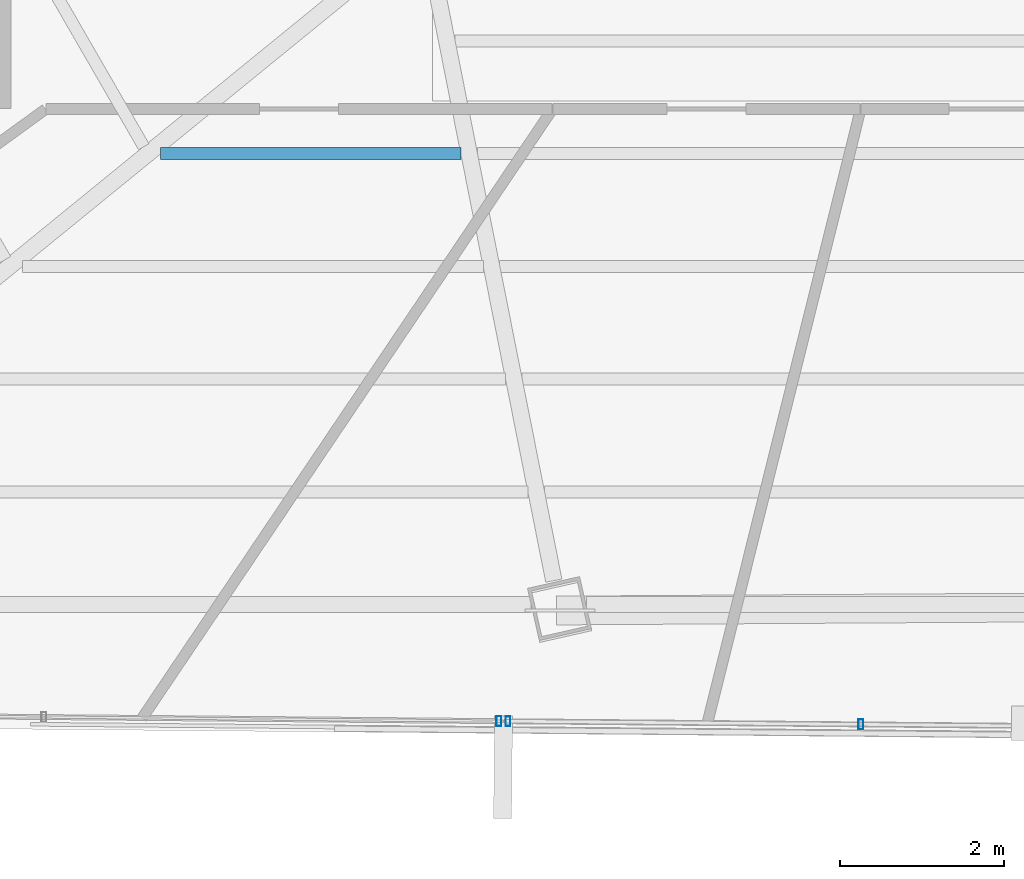
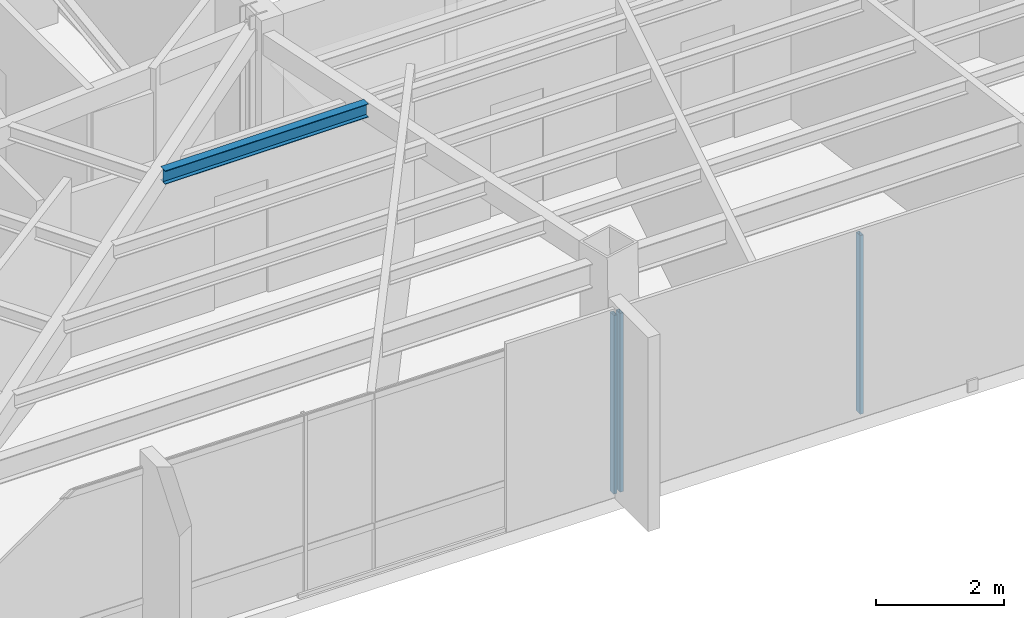
# One storey, part 11 of 42: 3 members, 1 beam, 2 elements without a shape of their own.
"""IFC4 building model written with IfcOpenShell, lengths in metres."""

from ifc_helpers import new_model, si_unit, direction, frame, origin, origin_2d, place, context, subcontext, project, spatial, hollow_rectangle, i_section, extrude, source, transform, mapped, material, material_profile, profile_set, type_object, type_shapes, element, aggregate, save


model = new_model("IFC4")

# Units and contexts
model_context = context("Model", 3, precision=1e-05, world=origin(), true_north=direction((0.0, 1.0)))
body_context = subcontext(model_context, "Body", "Model", "MODEL_VIEW")
ifc_project = project(units=[si_unit("LENGTHUNIT", "METRE"), si_unit("AREAUNIT", "SQUARE_METRE"), si_unit("VOLUMEUNIT", "CUBIC_METRE"), si_unit("PLANEANGLEUNIT", "RADIAN"), si_unit("MASSUNIT", "GRAM", prefix="KILO")], contexts=[model_context])

# Site, building, storey
site_placement = place(None, origin())
site = spatial("IfcSite", under=ifc_project, at=site_placement, CompositionType="ELEMENT")
building_placement = place(site_placement, origin())
building = spatial("IfcBuilding", under=site, at=building_placement, Name="Caelisora Broadcast Tower", CompositionType="ELEMENT")
storey_placement = place(building_placement, frame((0.0, 0.0, 244.449951171875)))
storey = spatial("IfcBuildingStorey", under=building, at=storey_placement, Name="L64", CompositionType="ELEMENT", Elevation=244.449951171875)

# Beam
ifc_material_1 = material(Name="Steel Grade 350 (AS/NZS 3679.1)", Category="steel")
ifc_material_profile_1 = material_profile(ifc_material_1, i_section(OverallWidth=0.14599609375, OverallDepth=0.256103515625, WebThickness=0.00634765625, FlangeThickness=0.010986328125, at=origin_2d()), Name="Steel Grade 350 (AS/NZS 3679.1)")
ifc_profile_set_1 = profile_set([ifc_material_profile_1], Name="Steel Grade 350 (AS/NZS 3679.1)")
beam_type = type_object("IfcBeamType", Name="SB04", PredefinedType="JOIST", material=ifc_profile_set_1)
shared_shape_1 = source(origin(), body_context, "Body", "SweptSolid", [
    extrude(i_section(OverallWidth=0.14599609375, OverallDepth=0.256103515625, WebThickness=0.00634765625, FlangeThickness=0.010986328125, at=origin_2d()), origin(), (0.0, 0.0, 1.0), 3.657470703125),
])
type_shapes(beam_type, [shared_shape_1])
beam_placement = place(storey_placement, frame((27.287841796875, 14.65576171875, 3.27197265625), z_axis=(1.0, 0.0, 0.0), x_axis=(0.0, 1.0, 0.0)))
element("IfcBeam", 1, at=beam_placement, inside=storey, type_object=beam_type, Name="L64 beam SB04", PredefinedType="JOIST", context=body_context, shape_type="MappedRepresentation", body=[
    mapped(shared_shape_1, transform((0.0, 0.0, 0.0), scale=1.0)),
])

# Curtain wall, members
ifc_material_2 = material(Name="Unitised Aluminium Insulated Shadow-Box Spandrel Curtain Wall", Category="aluminium")
curtain_wall_type_1 = type_object("IfcCurtainWallType", Name="CW-SP3", PredefinedType="NOTDEFINED", material=ifc_material_2)
curtain_wall_1_placement = place(storey_placement, origin())
curtain_wall_1 = element("IfcCurtainWall", 2, at=curtain_wall_1_placement, inside=storey, type_object=curtain_wall_type_1, Name="L64 curtain wall CW-SP3", PredefinedType="NOTDEFINED")
ifc_material_3 = material(Name="Aluminium 6063-T6 Anodised Terracotta Bronze", Category="aluminium")
ifc_material_profile_2 = material_profile(ifc_material_3, hollow_rectangle(XDim=0.06005859375, YDim=0.1201171875, WallThickness=0.0029296875, at=origin_2d()), Name="Aluminium 6063-T6 Anodised Terracotta Bronze")
ifc_profile_set_2 = profile_set([ifc_material_profile_2], Name="Aluminium 6063-T6 Anodised Terracotta Bronze")
member_type = type_object("IfcMemberType", Name="CWM-04", PredefinedType="MULLION", material=ifc_profile_set_2)
shared_shape_2 = source(origin(), body_context, "Body", "SweptSolid", [
    extrude(hollow_rectangle(XDim=0.06005859375, YDim=0.1201171875, WallThickness=0.0029296875, at=origin_2d()), origin(), (0.0, 0.0, 1.0), 3.400146484375),
])
type_shapes(member_type, [shared_shape_2])
member_1_placement = place(storey_placement, frame((35.813720703125, 7.708740234375, 0.0), z_axis=(0.0, 0.0, 1.0), x_axis=(1.0, 0.0, 0.0)))
member_1 = element("IfcMember", 3, at=member_1_placement, type_object=member_type, Name="L64-CW-B06 mullion #2", PredefinedType="MULLION", context=body_context, shape_type="MappedRepresentation", body=[
    mapped(shared_shape_2, transform((0.0, 0.0, 0.0), scale=1.0)),
])
member_2_placement = place(storey_placement, frame((31.516845703125, 7.74755859375, 0.0), z_axis=(0.0, 0.0, 1.0), x_axis=(1.0, 0.0, 0.0)))
member_2 = element("IfcMember", 4, at=member_2_placement, type_object=member_type, Name="L64-CW-B06 mullion #3", PredefinedType="MULLION", context=body_context, shape_type="MappedRepresentation", body=[
    mapped(shared_shape_2, transform((0.0, 0.0, 0.0), scale=1.0)),
])
aggregate(curtain_wall_1, [member_1, member_2])

# Curtain wall, member
ifc_material_4 = material(Name="Unitised Aluminium and Low-E Glass Curtain Wall", Category="glass")
curtain_wall_type_2 = type_object("IfcCurtainWallType", Name="CW-Z5", PredefinedType="NOTDEFINED", material=ifc_material_4)
curtain_wall_2_placement = place(storey_placement, origin())
curtain_wall_2 = element("IfcCurtainWall", 5, at=curtain_wall_2_placement, inside=storey, type_object=curtain_wall_type_2, Name="L64 curtain wall CW-Z5", PredefinedType="NOTDEFINED")
member_3_placement = place(storey_placement, frame((31.40673828125, 7.74853515625, 0.0), z_axis=(0.0, 0.0, 1.0), x_axis=(1.0, 0.0, 0.0)))
member_3 = element("IfcMember", 6, at=member_3_placement, type_object=member_type, Name="L64-CW-B07 mullion #0", PredefinedType="MULLION", context=body_context, shape_type="MappedRepresentation", body=[
    mapped(shared_shape_2, transform((0.0, 0.0, 0.0), scale=1.0)),
])
aggregate(curtain_wall_2, [member_3])

save(model, "model.ifc")
